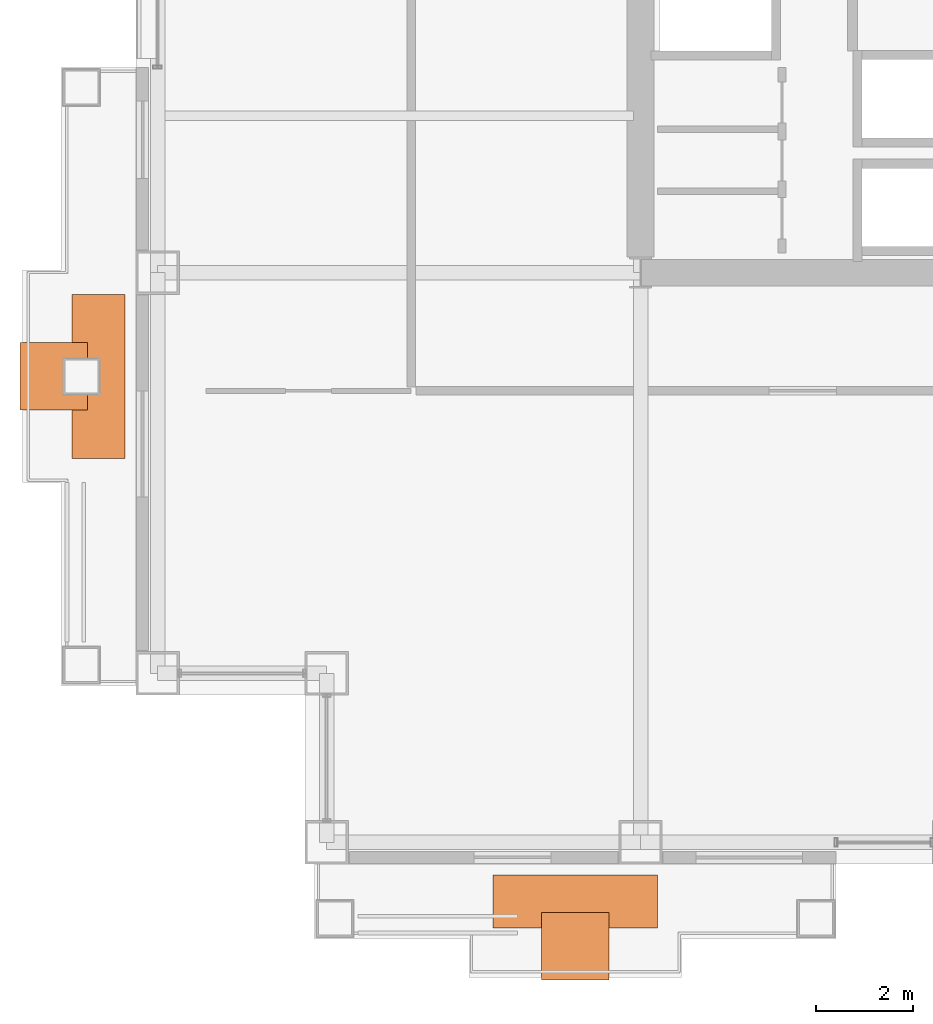
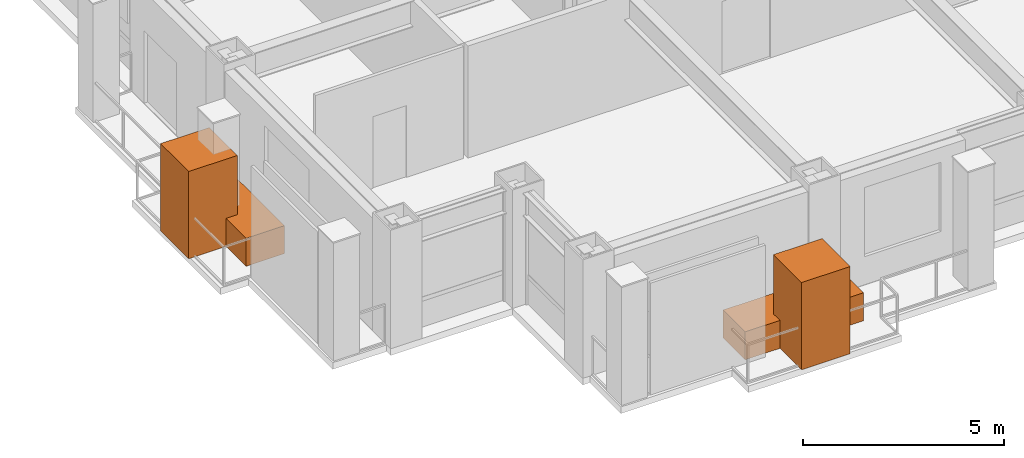
# One storey, part 28 of 28: 4 proxies.
"""IFC4 building model written with IfcOpenShell, lengths in metres."""

from ifc_helpers import new_model, si_unit, direction, frame, origin, origin_2d, place, context, subcontext, project, spatial, rectangle, extrude, material, type_object, element, save


model = new_model("IFC4")

# Units and contexts
model_context = context("Model", 3, precision=1e-05, world=origin(), true_north=direction((0.0, 1.0)))
body_context = subcontext(model_context, "Body", "Model", "MODEL_VIEW")
ifc_project = project(units=[si_unit("LENGTHUNIT", "METRE"), si_unit("AREAUNIT", "SQUARE_METRE"), si_unit("VOLUMEUNIT", "CUBIC_METRE"), si_unit("PLANEANGLEUNIT", "RADIAN"), si_unit("MASSUNIT", "GRAM", prefix="KILO")], contexts=[model_context])

# Site, building, storey
site_placement = place(None, origin())
site = spatial("IfcSite", under=ifc_project, at=site_placement, CompositionType="ELEMENT")
building_placement = place(site_placement, origin())
building = spatial("IfcBuilding", under=site, at=building_placement, Name="Brelmoor Portico Tower", CompositionType="ELEMENT")
storey_placement = place(building_placement, frame((0.0, 0.0, 70.800048828125)))
storey = spatial("IfcBuildingStorey", under=building, at=storey_placement, Name="L18", CompositionType="ELEMENT", Elevation=70.800048828125)

# Proxies
ifc_material_1 = material(Name="Planted Canopy Tree and Soil Rootball", Category="other")
building_element_proxy_type_1 = type_object("IfcBuildingElementProxyType", Name="BALCONY TREE ARBOR", PredefinedType="USERDEFINED", material=ifc_material_1)
for number, where, z_axis, x_axis, name in (
    (1, (-26.699951171875, -11.89990234375, 0.0), (0.0, 0.0, 1.0), (1.0, 0.0, 0.0), "L18 Balcony PLANTER Tree Canopy Arbor W"),
    (2, (-15.89990234375, -23.699951171875, 0.0), (0.0, 0.0, 1.0), (1.0, 0.0, 0.0), "L18 Balcony PLANTER Tree Canopy Arbor S"),
):
    element("IfcBuildingElementProxy", number, at=place(storey_placement, frame(where, z_axis=z_axis, x_axis=x_axis)), inside=storey, type_object=building_element_proxy_type_1, Name=name, ObjectType="PLANTER", PredefinedType="USERDEFINED", context=body_context, shape_type="SweptSolid", body=[
        extrude(rectangle(XDim=1.39990234375, YDim=1.39990234375, at=origin_2d()), origin(), (0.0, 0.0, 1.0), 2.64990234375),
    ])
ifc_material_2 = material(Name="Architectural Precast Concrete C40", Category="concrete")
building_element_proxy_type_2 = type_object("IfcBuildingElementProxyType", Name="TREE PLANTER", PredefinedType="USERDEFINED", material=ifc_material_2)
for number, where, z_axis, x_axis, name in (
    (3, (-25.77490234375, -11.89990234375, 0.0), (0.0, 0.0, 1.0), (0.0, 1.0, 0.0), "L18 Planted Tree Planter W"),
    (4, (-15.89990234375, -22.77490234375, 0.0), (0.0, 0.0, 1.0), (1.0, 0.0, 0.0), "L18 Planted Tree Planter S"),
):
    element("IfcBuildingElementProxy", number, at=place(storey_placement, frame(where, z_axis=z_axis, x_axis=x_axis)), inside=storey, type_object=building_element_proxy_type_2, Name=name, ObjectType="PLANTER", PredefinedType="USERDEFINED", context=body_context, shape_type="SweptSolid", body=[
        extrude(rectangle(XDim=3.39990234375, YDim=1.10009765625, at=origin_2d()), origin(), (0.0, 0.0, 1.0), 0.85009765625),
    ])

save(model, "model.ifc")
